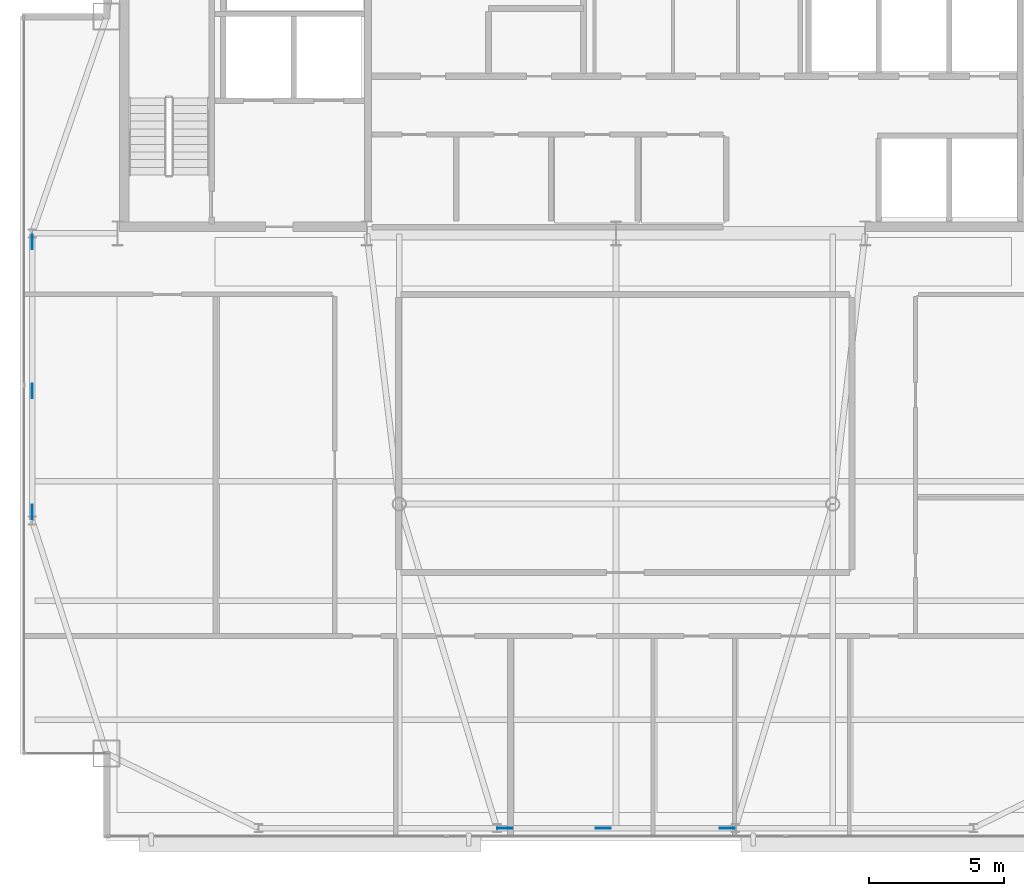
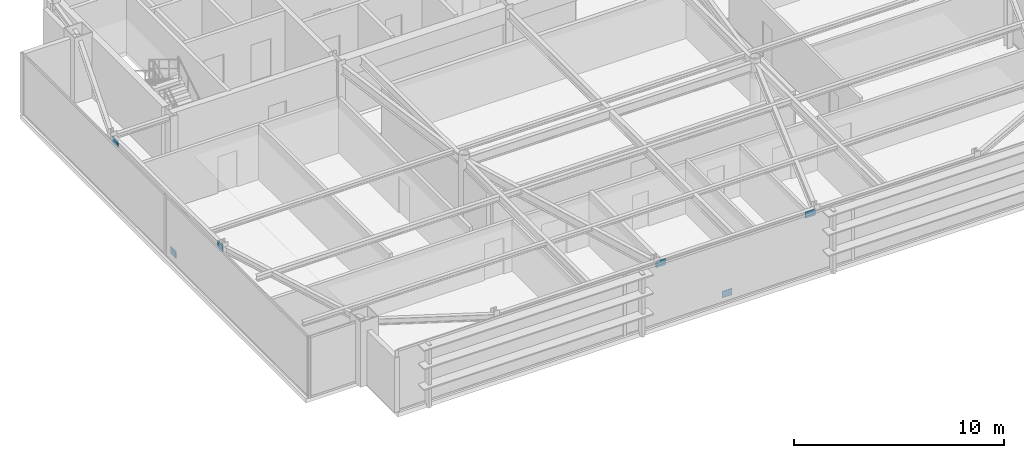
# One storey, part 19 of 24: 6 plates.
"""IFC4 building model written with IfcOpenShell, lengths in metres."""

from ifc_helpers import new_model, si_unit, direction, frame, origin, origin_2d, place, context, subcontext, project, spatial, rectangle, extrude, source, transform, mapped, material, layer, layer_set, type_object, type_shapes, element, save


model = new_model("IFC4")

# Units and contexts
model_context = context("Model", 3, precision=1e-05, world=origin(), true_north=direction((0.0, 1.0)))
body_context = subcontext(model_context, "Body", "Model", "MODEL_VIEW")
ifc_project = project(units=[si_unit("LENGTHUNIT", "METRE"), si_unit("AREAUNIT", "SQUARE_METRE"), si_unit("VOLUMEUNIT", "CUBIC_METRE"), si_unit("PLANEANGLEUNIT", "RADIAN"), si_unit("MASSUNIT", "GRAM", prefix="KILO")], contexts=[model_context])

# Site, building, storey
site_placement = place(None, origin())
site = spatial("IfcSite", under=ifc_project, at=site_placement, CompositionType="ELEMENT")
building_placement = place(site_placement, origin())
building = spatial("IfcBuilding", under=site, at=building_placement, Name="Varnel Quay Broadcast Tower", CompositionType="ELEMENT")
storey_placement = place(building_placement, frame((0.0, 0.0, 292.60009765625)))
storey = spatial("IfcBuildingStorey", under=building, at=storey_placement, Name="L73", CompositionType="ELEMENT", Elevation=292.60009765625)

# Plates
ifc_material = material(Name="Structural Steel CSA G40.21 350WT", Category="steel")
ifc_layer = layer(ifc_material, 0.031982421875, Name="Structural Steel CSA G40.21 350WT")
ifc_layer_set = layer_set([ifc_layer], Name="Structural Steel CSA G40.21 350WT")
plate_type = type_object("IfcPlateType", Name="Plate_EndCap", PredefinedType="USERDEFINED", material=ifc_layer_set)
shared_shape = source(origin(), body_context, "Body", "SweptSolid", [
    extrude(rectangle(XDim=0.5400390625, YDim=0.031982421875, at=origin_2d()), origin(), (0.0, 0.0, 1.0), 0.3798828125),
])
type_shapes(plate_type, [shared_shape])
for number, where, z_axis, x_axis, name in (
    (1, (38.107666015625, 13.64990234375, 3.09716796875), (0.0, 0.0, 1.0), (1.0, 0.0, 0.0), "Zone 5 Mega-Brace S-C1T3 Diag A End Connection Plate P1"),
    (2, (33.529541015625, 13.64990234375, 0.07568359375), (0.0, 0.0, 1.0), (1.0, 0.0, 0.0), "Zone 5 Mega-Brace S-C1T3 Diag B2 End Connection Plate P0"),
    (3, (29.892333984375, 13.64990234375, 3.09716796875), (0.0, 0.0, 1.0), (1.0, 0.0, 0.0), "Zone 5 Mega-Brace S-C1T3 Diag B2 End Connection Plate P1"),
    (4, (12.449951171875, 35.287109375, 3.124267578125), (0.0, 0.0, 1.0), (0.0, 1.0, 0.0), "Zone 5 Mega-Brace W-FT3 Diag A End Connection Plate P1"),
    (5, (12.449951171875, 29.787841796875, 0.0380859375), (0.0, 0.0, 1.0), (0.0, 1.0, 0.0), "Zone 5 Mega-Brace W-FT3 Diag B2 End Connection Plate P0"),
    (6, (12.449951171875, 25.312744140625, 3.124267578125), (0.0, 0.0, 1.0), (0.0, 1.0, 0.0), "Zone 5 Mega-Brace W-FT3 Diag B2 End Connection Plate P1"),
):
    element("IfcPlate", number, at=place(storey_placement, frame(where, z_axis=z_axis, x_axis=x_axis)), inside=storey, type_object=plate_type, Name=name, ObjectType="CAP_PLATE", PredefinedType="USERDEFINED", context=body_context, shape_type="MappedRepresentation", body=[
        mapped(shared_shape, transform((0.0, 0.0, 0.0), x_axis=(1.0, 0.0, 0.0), y_axis=(0.0, 1.0, 0.0), z_axis=(0.0, 0.0, 1.0), scale=1.0)),
    ])

save(model, "model.ifc")
